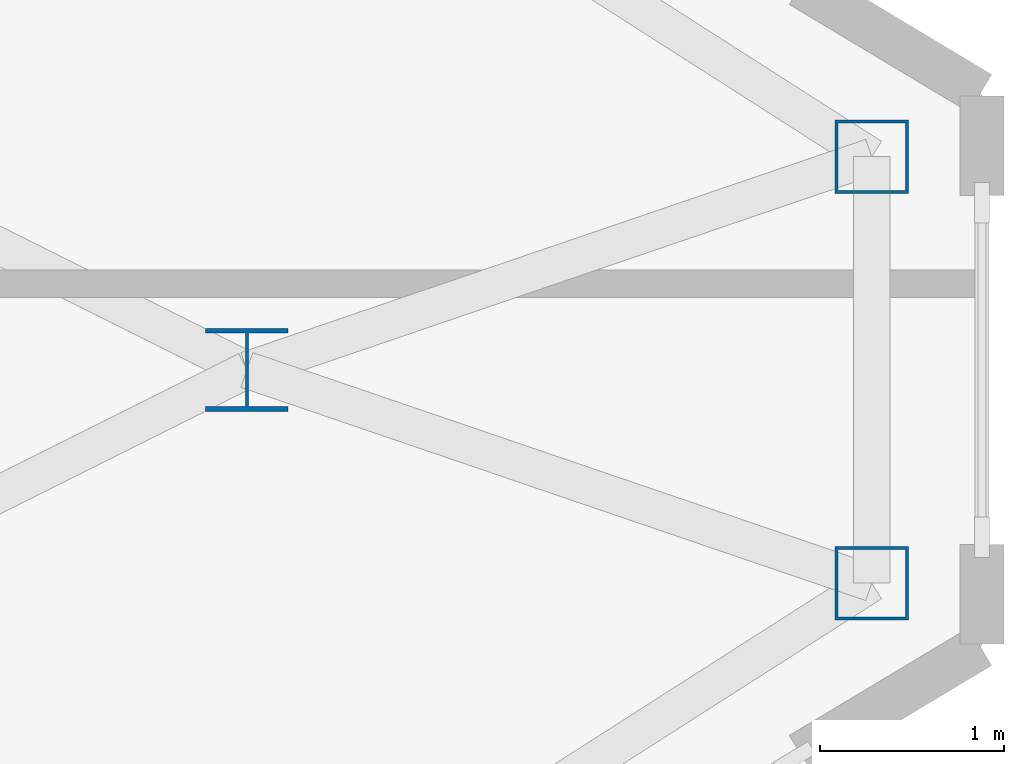
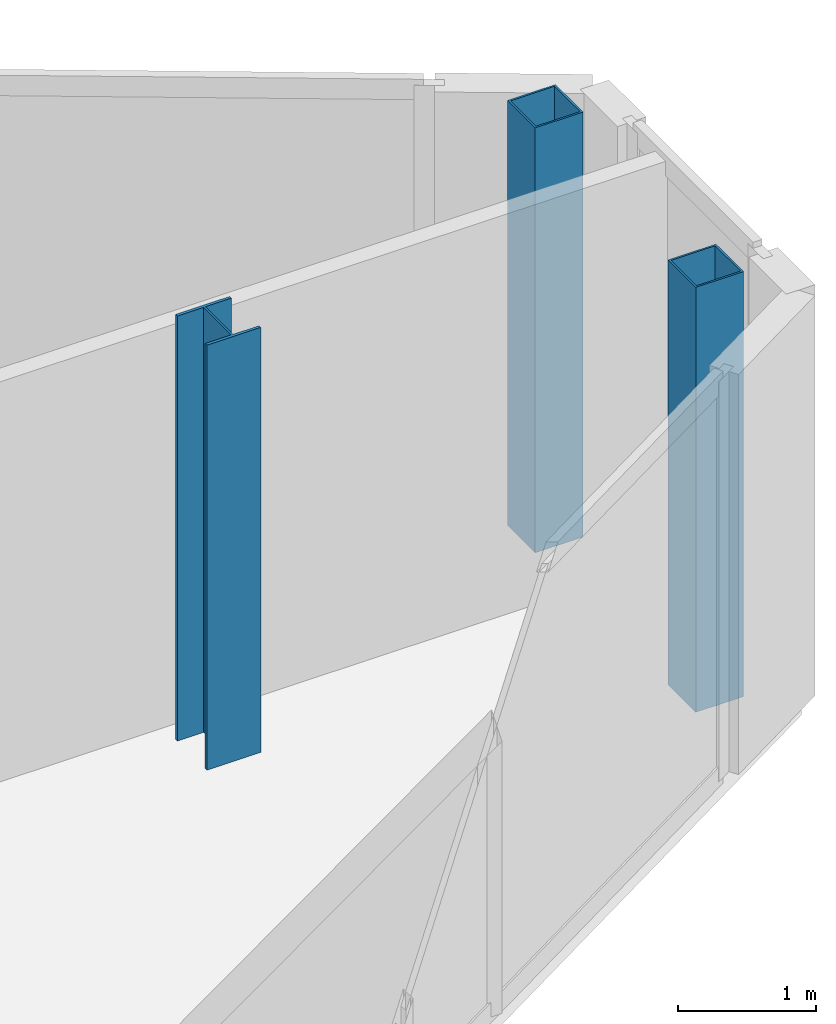
# One storey, part 7 of 29: 3 columns.
"""IFC4 building model written with IfcOpenShell, lengths in metres."""

from ifc_helpers import new_model, si_unit, direction, frame, origin, origin_2d, place, context, subcontext, project, spatial, hollow_rectangle, i_section, extrude, source, transform, mapped, material, material_profile, profile_set, type_object, type_shapes, element, save


model = new_model("IFC4")

# Units and contexts
model_context = context("Model", 3, precision=1e-05, world=origin(), true_north=direction((0.0, 1.0)))
body_context = subcontext(model_context, "Body", "Model", "MODEL_VIEW")
ifc_project = project(units=[si_unit("LENGTHUNIT", "METRE"), si_unit("AREAUNIT", "SQUARE_METRE"), si_unit("VOLUMEUNIT", "CUBIC_METRE"), si_unit("PLANEANGLEUNIT", "RADIAN"), si_unit("MASSUNIT", "GRAM", prefix="KILO")], contexts=[model_context])

# Site, building, storey
site_placement = place(None, origin())
site = spatial("IfcSite", under=ifc_project, at=site_placement, CompositionType="ELEMENT")
building_placement = place(site_placement, origin())
building = spatial("IfcBuilding", under=site, at=building_placement, Name="Seokmaru Belvedere", CompositionType="ELEMENT")
storey_placement = place(building_placement, frame((0.0, 0.0, 250.64990234375)))
storey = spatial("IfcBuildingStorey", under=building, at=storey_placement, Name="L66", CompositionType="ELEMENT", Elevation=250.64990234375)

# Columns
ifc_material = material(Name="Steel SM355 (355 MPa)", Category="steel")
ifc_material_profile_1 = material_profile(ifc_material, i_section(OverallWidth=0.449951171875, OverallDepth=0.449951171875, WebThickness=0.01611328125, FlangeThickness=0.02490234375, at=origin_2d()), Name="H-450x450x16x25")
ifc_profile_set_1 = profile_set([ifc_material_profile_1], Name="Steel SM355 (355 MPa)")
column_type_1 = type_object("IfcColumnType", Name="Sky-Gate Column H-450", PredefinedType="COLUMN", material=ifc_profile_set_1)
shared_shape_1 = source(origin(), body_context, "Body", "SweptSolid", [
    extrude(i_section(OverallWidth=0.449951171875, OverallDepth=0.449951171875, WebThickness=0.01611328125, FlangeThickness=0.02490234375, at=origin_2d()), origin(), (0.0, 0.0, 1.0), 3.75),
])
type_shapes(column_type_1, [shared_shape_1])
column_placement = place(storey_placement, frame((63.5, 0.0, 0.0), z_axis=(0.0, 0.0, 1.0), x_axis=(1.0, 0.0, 0.0)))
element("IfcColumn", 1, at=column_placement, inside=storey, type_object=column_type_1, Name="L66 Column EG3P_1", PredefinedType="COLUMN", context=body_context, shape_type="MappedRepresentation", body=[
    mapped(shared_shape_1, transform((0.0, 0.0, 0.0), scale=1.0)),
])
ifc_material_profile_2 = material_profile(ifc_material, hollow_rectangle(XDim=0.39990234375, YDim=0.39990234375, WallThickness=0.01611328125, at=origin_2d()), Name="HSS-400x400x16")
ifc_profile_set_2 = profile_set([ifc_material_profile_2], Name="Steel SM355 (355 MPa)")
column_type_2 = type_object("IfcColumnType", Name="Perimeter Facet Column HSS-400", PredefinedType="COLUMN", material=ifc_profile_set_2)
shared_shape_2 = source(origin(), body_context, "Body", "SweptSolid", [
    extrude(hollow_rectangle(XDim=0.39990234375, YDim=0.39990234375, WallThickness=0.01611328125, at=origin_2d()), origin(), (0.0, 0.0, 1.0), 3.75),
])
type_shapes(column_type_2, [shared_shape_2])
for number, where, z_axis, x_axis, name in (
    (2, (66.89990234375, -1.160400390625, 0.0), (0.0, 0.0, 1.0), (1.0, 0.0, 0.0), "L66 Column EF2"),
    (3, (66.89990234375, 1.160400390625, 0.0), (0.0, 0.0, 1.0), (1.0, 0.0, 0.0), "L66 Column EF3"),
):
    element("IfcColumn", number, at=place(storey_placement, frame(where, z_axis=z_axis, x_axis=x_axis)), inside=storey, type_object=column_type_2, Name=name, PredefinedType="COLUMN", context=body_context, shape_type="MappedRepresentation", body=[
        mapped(shared_shape_2, transform((0.0, 0.0, 0.0), scale=1.0)),
    ])

save(model, "model.ifc")
